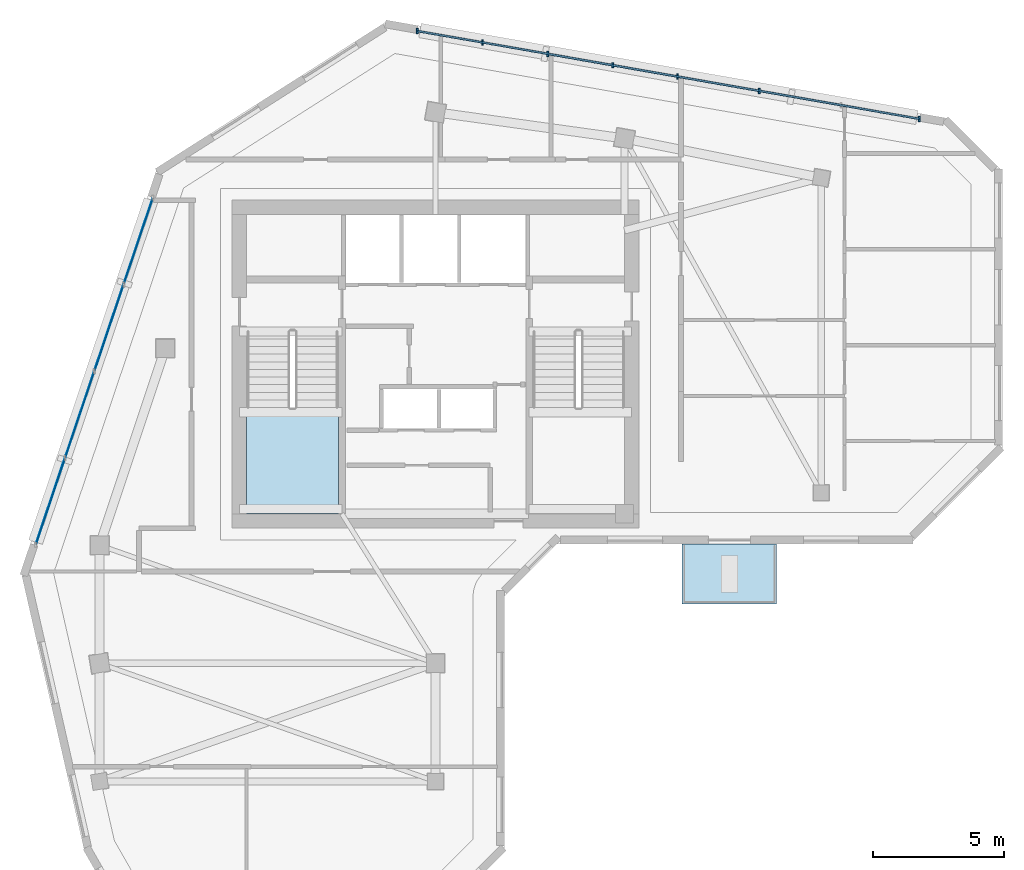
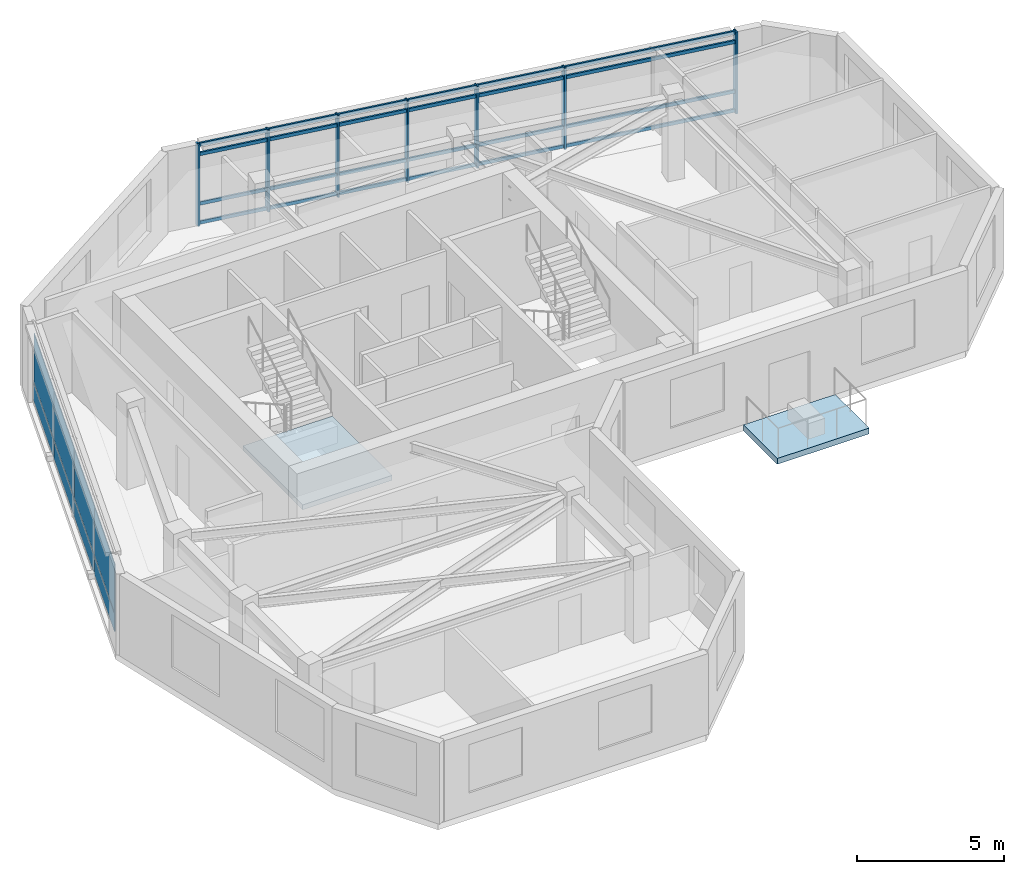
# One storey, part 2 of 9: 11 members, 8 plates, 2 slabs, 3 elements without a shape of their own.
"""IFC4 building model written with IfcOpenShell, lengths in metres."""

from ifc_helpers import new_model, si_unit, direction, frame, frame_2d, origin, origin_2d, place, context, subcontext, project, spatial, polyline, rectangle, outline, extrude, source, transform, mapped, material, layer, layer_set, material_profile, profile_set, type_object, element, aggregate, save


model = new_model("IFC4")

# Units and contexts
model_context = context("Model", 3, precision=1e-05, world=origin(), true_north=direction((0.0, 1.0)))
body_context = subcontext(model_context, "Body", "Model", "MODEL_VIEW")
ifc_project = project(units=[si_unit("LENGTHUNIT", "METRE"), si_unit("AREAUNIT", "SQUARE_METRE"), si_unit("VOLUMEUNIT", "CUBIC_METRE"), si_unit("PLANEANGLEUNIT", "RADIAN"), si_unit("MASSUNIT", "GRAM", prefix="KILO")], contexts=[model_context])

# Site, building, storey
site_placement = place(None, origin())
site = spatial("IfcSite", under=ifc_project, at=site_placement, CompositionType="ELEMENT")
building_placement = place(site_placement, origin())
building = spatial("IfcBuilding", under=site, at=building_placement, Name="Calvemar Wedge Station Tower", CompositionType="ELEMENT")
storey_placement = place(building_placement, frame((0.0, 0.0, 270.89990234375)))
storey = spatial("IfcBuildingStorey", under=building, at=storey_placement, Name="L69", CompositionType="ELEMENT", Elevation=270.89990234375)

# Curtain wall, members
ifc_material_1 = material(Name="Anodised aluminium 6063-T6", Category="aluminium")
curtain_wall_type = type_object("IfcCurtainWallType", Name="CW4", PredefinedType="NOTDEFINED", material=ifc_material_1)
curtain_wall_1_placement = place(storey_placement, origin())
curtain_wall_1 = element("IfcCurtainWall", 1, at=curtain_wall_1_placement, inside=storey, type_object=curtain_wall_type, Name="Storey L69 CW4 Recessed Unitised Curtain Wall 10", PredefinedType="NOTDEFINED")
ifc_material_profile_1 = material_profile(ifc_material_1, rectangle(XDim=0.070068359375, YDim=0.199951171875, at=origin_2d()), Name="AL-MUL-70x200")
ifc_profile_set_1 = profile_set([ifc_material_profile_1], Name="Anodised aluminium 6063-T6")
member_type_1 = type_object("IfcMemberType", Name="CW4-MUL", PredefinedType="MULLION", material=ifc_profile_set_1)
shared_shape_1 = source(origin(), body_context, "Body", "SweptSolid", [
    extrude(rectangle(XDim=0.070068359375, YDim=0.199951171875, at=origin_2d()), origin(), (0.0, 0.0, 1.0), 3.39990234375),
])
member_1_placement = place(storey_placement, frame((42.233642578125, 49.246826171875, -0.0498046875), z_axis=(0.0, 0.0, 1.0), x_axis=(1.0, 0.0, 0.0)))
member_1 = element("IfcMember", 2, at=member_1_placement, type_object=member_type_1, Name="CW4 mullion 1", PredefinedType="MULLION", context=body_context, shape_type="MappedRepresentation", body=[
    mapped(shared_shape_1, transform((0.0, 0.0, 0.0), scale=1.0)),
])
member_2_placement = place(storey_placement, frame((36.1376953125, 50.3134765625, -0.0498046875), z_axis=(0.0, 0.0, 1.0), x_axis=(1.0, 0.0, 0.0)))
member_2 = element("IfcMember", 3, at=member_2_placement, type_object=member_type_1, Name="CW4 mullion 3", PredefinedType="MULLION", context=body_context, shape_type="MappedRepresentation", body=[
    mapped(shared_shape_1, transform((0.0, 0.0, 0.0), scale=1.0)),
])
member_3_placement = place(storey_placement, frame((33.021484375, 50.8583984375, -0.0498046875), z_axis=(0.0, 0.0, 1.0), x_axis=(1.0, 0.0, 0.0)))
member_3 = element("IfcMember", 4, at=member_3_placement, type_object=member_type_1, Name="CW4 mullion 4", PredefinedType="MULLION", context=body_context, shape_type="MappedRepresentation", body=[
    mapped(shared_shape_1, transform((0.0, 0.0, 0.0), scale=1.0)),
])
member_4_placement = place(storey_placement, frame((30.546630859375, 51.29150390625, -0.0498046875), z_axis=(0.0, 0.0, 1.0), x_axis=(1.0, 0.0, 0.0)))
member_4 = element("IfcMember", 5, at=member_4_placement, type_object=member_type_1, Name="CW4 mullion 5", PredefinedType="MULLION", context=body_context, shape_type="MappedRepresentation", body=[
    mapped(shared_shape_1, transform((0.0, 0.0, 0.0), scale=1.0)),
])
member_5_placement = place(storey_placement, frame((28.071533203125, 51.724609375, -0.0498046875), z_axis=(0.0, 0.0, 1.0), x_axis=(1.0, 0.0, 0.0)))
member_5 = element("IfcMember", 6, at=member_5_placement, type_object=member_type_1, Name="CW4 mullion 6", PredefinedType="MULLION", context=body_context, shape_type="MappedRepresentation", body=[
    mapped(shared_shape_1, transform((0.0, 0.0, 0.0), scale=1.0)),
])
member_6_placement = place(storey_placement, frame((25.588134765625, 52.158935546875, -0.0498046875), z_axis=(0.0, 0.0, 1.0), x_axis=(1.0, 0.0, 0.0)))
member_6 = element("IfcMember", 7, at=member_6_placement, type_object=member_type_1, Name="CW4 mullion 7", PredefinedType="MULLION", context=body_context, shape_type="MappedRepresentation", body=[
    mapped(shared_shape_1, transform((0.0, 0.0, 0.0), scale=1.0)),
])
member_7_placement = place(storey_placement, frame((23.104736328125, 52.593505859375, -0.0498046875), z_axis=(0.0, 0.0, 1.0), x_axis=(1.0, 0.0, 0.0)))
member_7 = element("IfcMember", 8, at=member_7_placement, type_object=member_type_1, Name="CW4 mullion 8", PredefinedType="MULLION", context=body_context, shape_type="MappedRepresentation", body=[
    mapped(shared_shape_1, transform((0.0, 0.0, 0.0), scale=1.0)),
])
ifc_material_profile_2 = material_profile(ifc_material_1, rectangle(XDim=0.070068359375, YDim=0.139892578125, at=origin_2d()), Name="AL-TRN-70x140")
ifc_profile_set_2 = profile_set([ifc_material_profile_2], Name="Anodised aluminium 6063-T6")
member_type_2 = type_object("IfcMemberType", Name="CW4-TRN", PredefinedType="USERDEFINED", material=ifc_profile_set_2)
shared_shape_2 = source(origin(), body_context, "Body", "SweptSolid", [
    extrude(rectangle(XDim=0.070068359375, YDim=0.139892578125, at=origin_2d()), origin(), (0.0, 0.0, 1.0), 19.41943359375),
])
member_8_placement = place(storey_placement, frame((42.233642578125, 49.246826171875, 0.06005859375), z_axis=(-0.985038151159, 0.172336417399, 0.0), x_axis=(-0.172336417399, -0.985038151159, 0.0)))
member_8 = element("IfcMember", 9, at=member_8_placement, type_object=member_type_2, Name="CW4 transom 1", ObjectType="TRANSOM", PredefinedType="USERDEFINED", context=body_context, shape_type="MappedRepresentation", body=[
    mapped(shared_shape_2, transform((0.0, 0.0, 0.0), scale=1.0)),
])
member_9_placement = place(storey_placement, frame((42.233642578125, 49.246826171875, 0.85009765625), z_axis=(-0.985038151159, 0.172336417399, 0.0), x_axis=(-0.172336417399, -0.985038151159, 0.0)))
member_9 = element("IfcMember", 10, at=member_9_placement, type_object=member_type_2, Name="CW4 transom 2", ObjectType="TRANSOM", PredefinedType="USERDEFINED", context=body_context, shape_type="MappedRepresentation", body=[
    mapped(shared_shape_2, transform((0.0, 0.0, 0.0), scale=1.0)),
])
member_10_placement = place(storey_placement, frame((42.233642578125, 49.246826171875, 2.900146484375), z_axis=(-0.985038151159, 0.172336417399, 0.0), x_axis=(-0.172336417399, -0.985038151159, 0.0)))
member_10 = element("IfcMember", 11, at=member_10_placement, type_object=member_type_2, Name="CW4 transom 3", ObjectType="TRANSOM", PredefinedType="USERDEFINED", context=body_context, shape_type="MappedRepresentation", body=[
    mapped(shared_shape_2, transform((0.0, 0.0, 0.0), scale=1.0)),
])
member_11_placement = place(storey_placement, frame((42.233642578125, 49.246826171875, 3.2900390625), z_axis=(-0.985038151159, 0.172336417399, 0.0), x_axis=(-0.172336417399, -0.985038151159, 0.0)))
member_11 = element("IfcMember", 12, at=member_11_placement, type_object=member_type_2, Name="CW4 transom 4", ObjectType="TRANSOM", PredefinedType="USERDEFINED", context=body_context, shape_type="MappedRepresentation", body=[
    mapped(shared_shape_2, transform((0.0, 0.0, 0.0), scale=1.0)),
])
aggregate(curtain_wall_1, [member_1, member_2, member_3, member_4, member_5, member_6, member_7, member_8, member_9, member_10, member_11])

# Curtain wall, plates
curtain_wall_2_placement = place(storey_placement, origin())
curtain_wall_2 = element("IfcCurtainWall", 13, at=curtain_wall_2_placement, inside=storey, type_object=curtain_wall_type, Name="Storey L69 CW4 Recessed Unitised Curtain Wall 12", PredefinedType="NOTDEFINED")
ifc_material_2 = material(Name="Low-E laminated insulated glass", Category="glass")
ifc_layer_1 = layer(ifc_material_2, 0.028076171875)
ifc_layer_set_1 = layer_set([ifc_layer_1], Name="Low-E laminated insulated glass")
plate_type_1 = type_object("IfcPlateType", Name="CW4-GLZ", PredefinedType="CURTAIN_PANEL", material=ifc_layer_set_1)
plate_1_placement = place(storey_placement, frame((13.0244140625, 46.223388671875, 0.8701171875), z_axis=(0.0, 0.0, 1.0), x_axis=(-0.319936496662, -0.94743898912, 0.0)))
plate_1 = element("IfcPlate", 14, at=plate_1_placement, type_object=plate_type_1, Name="CW4 vision glass panel 1", PredefinedType="CURTAIN_PANEL", context=body_context, shape_type="SweptSolid", body=[
    extrude(rectangle(XDim=3.453857421875, YDim=0.028076171875, at=frame_2d((1.72705078125, 0.0))), origin(), (0.0, 0.0, 1.0), 2.010009765625),
])
plate_2_placement = place(storey_placement, frame((11.907958984375, 42.9169921875, 0.8701171875), z_axis=(0.0, 0.0, 1.0), x_axis=(-0.319936496662, -0.94743898912, 0.0)))
plate_2 = element("IfcPlate", 15, at=plate_2_placement, type_object=plate_type_1, Name="CW4 vision glass panel 2", PredefinedType="CURTAIN_PANEL", context=body_context, shape_type="SweptSolid", body=[
    extrude(rectangle(XDim=3.453857421875, YDim=0.028076171875, at=frame_2d((1.72705078125, 0.0))), origin(), (0.0, 0.0, 1.0), 2.010009765625),
])
plate_3_placement = place(storey_placement, frame((10.79150390625, 39.610595703125, 0.8701171875), z_axis=(0.0, 0.0, 1.0), x_axis=(-0.319936496662, -0.94743898912, 0.0)))
plate_3 = element("IfcPlate", 16, at=plate_3_placement, type_object=plate_type_1, Name="CW4 vision glass panel 3", PredefinedType="CURTAIN_PANEL", context=body_context, shape_type="SweptSolid", body=[
    extrude(rectangle(XDim=3.453857421875, YDim=0.028076171875, at=frame_2d((1.72705078125, 0.0))), origin(), (0.0, 0.0, 1.0), 2.010009765625),
])
plate_4_placement = place(storey_placement, frame((9.675048828125, 36.30419921875, 0.8701171875), z_axis=(0.0, 0.0, 1.0), x_axis=(-0.31987304157, -0.947460414622, 0.0)))
plate_4 = element("IfcPlate", 17, at=plate_4_placement, type_object=plate_type_1, Name="CW4 vision glass panel 4", PredefinedType="CURTAIN_PANEL", context=body_context, shape_type="SweptSolid", body=[
    extrude(rectangle(XDim=3.45361328125, YDim=0.028076171875, at=frame_2d((1.726806640625, 0.0))), origin(), (0.0, 0.0, 1.0), 2.010009765625),
])
ifc_material_3 = material(Name="Oxidized bronze aluminium spandrel panel 5005-H24", Category="aluminium")
ifc_layer_2 = layer(ifc_material_3, 0.0400390625)
ifc_layer_set_2 = layer_set([ifc_layer_2], Name="Oxidized bronze aluminium spandrel panel 5005-H24")
plate_type_2 = type_object("IfcPlateType", Name="CW4-SPD", PredefinedType="SHEET", material=ifc_layer_set_2)
plate_5_placement = place(storey_placement, frame((13.0244140625, 46.223388671875, 0.080078125), z_axis=(0.0, 0.0, 1.0), x_axis=(-0.319936496662, -0.94743898912, 0.0)))
plate_5 = element("IfcPlate", 18, at=plate_5_placement, type_object=plate_type_2, Name="CW4 bronze spandrel panel 1", PredefinedType="SHEET", context=body_context, shape_type="SweptSolid", body=[
    extrude(rectangle(XDim=3.453857421875, YDim=0.0400390625, at=frame_2d((1.72705078125, 0.0))), origin(), (0.0, 0.0, 1.0), 0.75),
])
plate_6_placement = place(storey_placement, frame((11.907958984375, 42.9169921875, 0.080078125), z_axis=(0.0, 0.0, 1.0), x_axis=(-0.319936496662, -0.94743898912, 0.0)))
plate_6 = element("IfcPlate", 19, at=plate_6_placement, type_object=plate_type_2, Name="CW4 bronze spandrel panel 2", PredefinedType="SHEET", context=body_context, shape_type="SweptSolid", body=[
    extrude(rectangle(XDim=3.453857421875, YDim=0.0400390625, at=frame_2d((1.72705078125, 0.0))), origin(), (0.0, 0.0, 1.0), 0.75),
])
plate_7_placement = place(storey_placement, frame((10.79150390625, 39.610595703125, 0.080078125), z_axis=(0.0, 0.0, 1.0), x_axis=(-0.319936496662, -0.94743898912, 0.0)))
plate_7 = element("IfcPlate", 20, at=plate_7_placement, type_object=plate_type_2, Name="CW4 bronze spandrel panel 3", PredefinedType="SHEET", context=body_context, shape_type="SweptSolid", body=[
    extrude(rectangle(XDim=3.453857421875, YDim=0.0400390625, at=frame_2d((1.72705078125, 0.0))), origin(), (0.0, 0.0, 1.0), 0.75),
])
plate_8_placement = place(storey_placement, frame((9.675048828125, 36.30419921875, 0.080078125), z_axis=(0.0, 0.0, 1.0), x_axis=(-0.31987304157, -0.947460414622, 0.0)))
plate_8 = element("IfcPlate", 21, at=plate_8_placement, type_object=plate_type_2, Name="CW4 bronze spandrel panel 4", PredefinedType="SHEET", context=body_context, shape_type="SweptSolid", body=[
    extrude(rectangle(XDim=3.45361328125, YDim=0.0400390625, at=frame_2d((1.726806640625, 0.0))), origin(), (0.0, 0.0, 1.0), 0.75),
])
aggregate(curtain_wall_2, [plate_5, plate_1, plate_6, plate_2, plate_7, plate_3, plate_8, plate_4])

# Stair, slab
ifc_material_4 = material(Name="Concrete C45", Category="concrete")
stair_type = type_object("IfcStairType", Name="ST-TYPE-3600", PredefinedType="HALF_TURN_STAIR", material=ifc_material_4)
stair_placement = place(storey_placement, origin())
stair = element("IfcStair", 22, at=stair_placement, inside=storey, type_object=stair_type, Name="L69 Pressurized Core Exit Stair ST-C1", PredefinedType="HALF_TURN_STAIR")
ifc_layer_3 = layer(ifc_material_4, 0.199951171875)
ifc_layer_set_3 = layer_set([ifc_layer_3], Name="Concrete C45")
slab_type_1 = type_object("IfcSlabType", Name="SL-STAIR-LND-200", PredefinedType="LANDING", material=ifc_layer_set_3)
slab_1_placement = place(storey_placement, frame((0.0, 0.0, 1.60009765625)))
slab_1 = element("IfcSlab", 23, at=slab_1_placement, type_object=slab_type_1, Name="ST-C1 landing 1", PredefinedType="LANDING", context=body_context, shape_type="SweptSolid", body=[
    extrude(outline(polyline([(16.60009765625, 38.25), (16.60009765625, 34.199951171875), (20.10009765625, 34.199951171875), (20.10009765625, 38.25), (16.60009765625, 38.25)])), origin(), (0.0, 0.0, 1.0), 0.199951171875),
])
aggregate(stair, [slab_1])

# Slab
ifc_layer_4 = layer(ifc_material_4, 0.239990234375)
ifc_layer_set_4 = layer_set([ifc_layer_4], Name="Concrete C45")
slab_type_2 = type_object("IfcSlabType", Name="SL-TERR-240", PredefinedType="FLOOR", material=ifc_layer_set_4)
slab_2_placement = place(storey_placement, frame((0.0, 0.0, -0.239990234375)))
element("IfcSlab", 24, at=slab_2_placement, inside=storey, type_object=slab_type_2, Name="Storey L69 Planted Spiral Terrace Slab", PredefinedType="FLOOR", context=body_context, shape_type="SweptSolid", body=[
    extrude(outline(polyline([(33.199951171875, 33.055908203125), (33.199951171875, 30.756103515625), (36.800048828125, 30.756103515625), (36.800048828125, 33.055908203125), (33.199951171875, 33.055908203125)])), origin(), (0.0, 0.0, 1.0), 0.239990234375),
])

save(model, "model.ifc")
